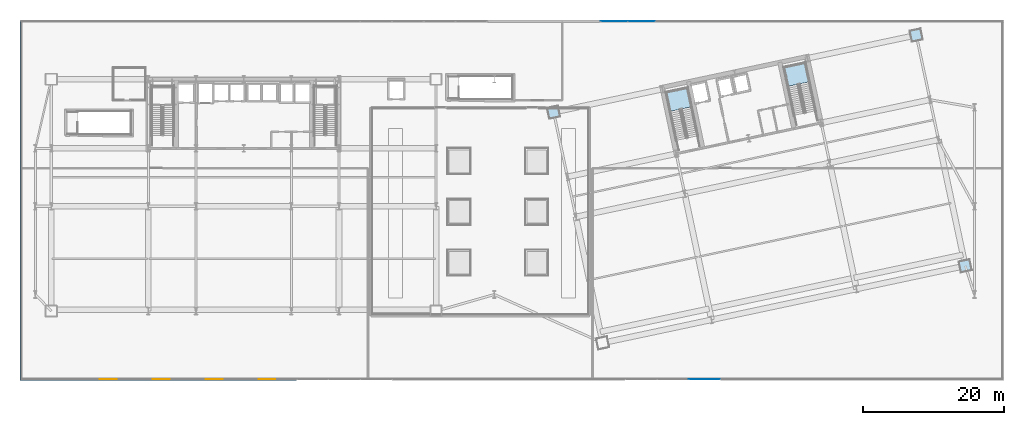
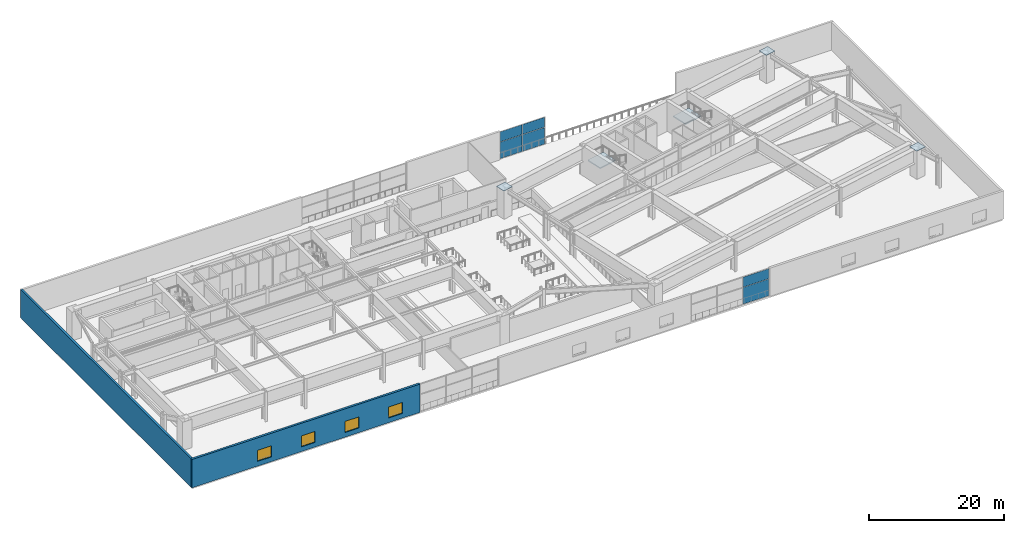
# One storey, part 15 of 29: 9 plates, 4 windows, 2 slabs, 2 walls, 4 openings, 4 elements without a shape of their own.
"""IFC4 building model written with IfcOpenShell, lengths in metres."""

from ifc_helpers import new_model, si_unit, direction, frame, frame_2d, origin, origin_2d, place, context, subcontext, project, spatial, polyline, rectangle, outline, extrude, material, layer, layer_set, type_object, element, fill, aggregate, save


model = new_model("IFC4")

# Units and contexts
model_context = context("Model", 3, precision=1e-05, world=origin(), true_north=direction((0.0, 1.0)))
body_context = subcontext(model_context, "Body", "Model", "MODEL_VIEW")
ifc_project = project(units=[si_unit("LENGTHUNIT", "METRE"), si_unit("AREAUNIT", "SQUARE_METRE"), si_unit("VOLUMEUNIT", "CUBIC_METRE"), si_unit("PLANEANGLEUNIT", "RADIAN"), si_unit("MASSUNIT", "GRAM", prefix="KILO")], contexts=[model_context])

# Site, building, storey
site_placement = place(None, origin())
site = spatial("IfcSite", under=ifc_project, at=site_placement, CompositionType="ELEMENT")
building_placement = place(site_placement, origin())
building = spatial("IfcBuilding", under=site, at=building_placement, Name="Haevon Station Towers", CompositionType="ELEMENT")
storey_placement = place(building_placement, frame((0.0, 0.0, 25.199951171875)))
storey = spatial("IfcBuildingStorey", under=building, at=storey_placement, Name="L05", CompositionType="ELEMENT", Elevation=25.199951171875)

# Curtain wall, plates
ifc_material_1 = material(Name="Anodised aluminium and Low-E double glazing", Category="aluminium")
ifc_layer_1 = layer(ifc_material_1, 0.179931640625)
ifc_layer_set_1 = layer_set([ifc_layer_1], Name="Anodised aluminium and Low-E double glazing")
curtain_wall_type = type_object("IfcCurtainWallType", Name="CW-SYS3", PredefinedType="NOTDEFINED", material=ifc_layer_set_1)
curtain_wall_1_placement = place(storey_placement, origin())
curtain_wall_1 = element("IfcCurtainWall", 1, at=curtain_wall_1_placement, inside=storey, type_object=curtain_wall_type, Name="L05 Curtain Wall CW-POD-L05-S1", PredefinedType="NOTDEFINED")
ifc_material_2 = material(Name="Low-E double glazing", Category="glass")
ifc_layer_2 = layer(ifc_material_2, 0.028076171875)
ifc_layer_set_2 = layer_set([ifc_layer_2], Name="Low-E double glazing")
plate_type_1 = type_object("IfcPlateType", Name="CWP-GLZ28", PredefinedType="CURTAIN_PANEL", material=ifc_layer_set_2)
plate_1_placement = place(storey_placement, frame((102.733642578125, 5.5, 0.06494140625), z_axis=(0.0, 0.0, 1.0), x_axis=(-1.0, 0.0, 0.0)))
plate_1 = element("IfcPlate", 2, at=plate_1_placement, type_object=plate_type_1, Name="CW-SYS3 panel 1.1", PredefinedType="CURTAIN_PANEL", context=body_context, shape_type="SweptSolid", body=[
    extrude(rectangle(XDim=4.402587890625, YDim=0.028076171875, at=origin_2d()), origin(), (0.0, 0.0, 1.0), 3.033447265625),
])
plate_2_placement = place(storey_placement, frame((102.733642578125, 5.5, 3.16357421875), z_axis=(0.0, 0.0, 1.0), x_axis=(-1.0, 0.0, 0.0)))
plate_2 = element("IfcPlate", 3, at=plate_2_placement, type_object=plate_type_1, Name="CW-SYS3 panel 1.2", PredefinedType="CURTAIN_PANEL", context=body_context, shape_type="SweptSolid", body=[
    extrude(rectangle(XDim=4.402587890625, YDim=0.028076171875, at=origin_2d()), origin(), (0.0, 0.0, 1.0), 1.821533203125),
])
aggregate(curtain_wall_1, [plate_1, plate_2])

curtain_wall_2_placement = place(storey_placement, origin())
curtain_wall_2 = element("IfcCurtainWall", 4, at=curtain_wall_2_placement, inside=storey, type_object=curtain_wall_type, Name="L05 Curtain Wall CW-POD-L05-N3", PredefinedType="NOTDEFINED")
plate_3_placement = place(storey_placement, frame((89.96630859375, 56.199951171875, 0.065185546875), z_axis=(0.0, 0.0, 1.0), x_axis=(1.0, 0.0, 0.0)))
plate_3 = element("IfcPlate", 5, at=plate_3_placement, type_object=plate_type_1, Name="CW-SYS3 panel 1.1", PredefinedType="CURTAIN_PANEL", context=body_context, shape_type="SweptSolid", body=[
    extrude(rectangle(XDim=3.802490234375, YDim=0.028076171875, at=origin_2d()), origin(), (0.0, 0.0, 1.0), 3.00244140625),
])
plate_4_placement = place(storey_placement, frame((89.96630859375, 56.199951171875, 3.13232421875), z_axis=(0.0, 0.0, 1.0), x_axis=(1.0, 0.0, 0.0)))
plate_4 = element("IfcPlate", 6, at=plate_4_placement, type_object=plate_type_1, Name="CW-SYS3 panel 1.2", PredefinedType="CURTAIN_PANEL", context=body_context, shape_type="SweptSolid", body=[
    extrude(rectangle(XDim=3.802490234375, YDim=0.028076171875, at=origin_2d()), origin(), (0.0, 0.0, 1.0), 1.802490234375),
])
plate_5_placement = place(storey_placement, frame((93.833740234375, 56.199951171875, 0.065185546875), z_axis=(0.0, 0.0, 1.0), x_axis=(1.0, 0.0, 0.0)))
plate_5 = element("IfcPlate", 7, at=plate_5_placement, type_object=plate_type_1, Name="CW-SYS3 panel 2.1", PredefinedType="CURTAIN_PANEL", context=body_context, shape_type="SweptSolid", body=[
    extrude(rectangle(XDim=3.802490234375, YDim=0.028076171875, at=origin_2d()), origin(), (0.0, 0.0, 1.0), 3.00244140625),
])
plate_6_placement = place(storey_placement, frame((93.833740234375, 56.199951171875, 3.13232421875), z_axis=(0.0, 0.0, 1.0), x_axis=(1.0, 0.0, 0.0)))
plate_6 = element("IfcPlate", 8, at=plate_6_placement, type_object=plate_type_1, Name="CW-SYS3 panel 2.2", PredefinedType="CURTAIN_PANEL", context=body_context, shape_type="SweptSolid", body=[
    extrude(rectangle(XDim=3.802490234375, YDim=0.028076171875, at=origin_2d()), origin(), (0.0, 0.0, 1.0), 1.802490234375),
])
aggregate(curtain_wall_2, [plate_3, plate_4, plate_5, plate_6])

# Plates
ifc_material_3 = material(Name="PL-FLG1", Category="steel")
ifc_layer_3 = layer(ifc_material_3, 0.044921875)
ifc_layer_set_3 = layer_set([ifc_layer_3], Name="PL-FLG1")
plate_type_2 = type_object("IfcPlateType", Name="PL-FLG1", PredefinedType="USERDEFINED", material=ifc_layer_set_3)
for number, where, z_axis, x_axis, name in (
    (9, (81.402587890625, 43.3134765625, 5.150146484375), (0.0, 0.0, 1.0), (0.978147600734, 0.207911690818, 0.0), "PL-CAP-T2-L05-01-04"),
    (10, (139.699462890625, 21.558837890625, 5.150146484375), (0.0, 0.0, 1.0), (0.978147600734, 0.207911690818, 0.0), "PL-CAP-T2-L05-05-01"),
    (11, (132.75537109375, 54.228759765625, 5.150146484375), (0.0, 0.0, 1.0), (0.978147600734, 0.207911690818, 0.0), "PL-CAP-T2-L05-05-04"),
):
    element("IfcPlate", number, at=place(storey_placement, frame(where, z_axis=z_axis, x_axis=x_axis)), inside=storey, type_object=plate_type_2, Name=name, ObjectType="FLANGE_PLATE", PredefinedType="USERDEFINED", context=body_context, shape_type="SweptSolid", body=[
        extrude(rectangle(XDim=1.739990234375, YDim=1.639892578125, at=origin_2d()), origin(), (0.0, 0.0, 1.0), 0.0400390625),
    ])

# Stair, slab
ifc_material_4 = material(Name="Concrete C40/50", Category="concrete")
stair_type = type_object("IfcStairType", Name="STR-DL1450", PredefinedType="USERDEFINED", material=ifc_material_4)
stair_1_placement = place(storey_placement, origin())
stair_1 = element("IfcStair", 12, at=stair_1_placement, inside=storey, type_object=stair_type, Name="L05 Escape Stair ST3", ObjectType="TWO_RETURN_STAIR", PredefinedType="USERDEFINED")
ifc_layer_4 = layer(ifc_material_4, 0.199951171875)
ifc_layer_set_4 = layer_set([ifc_layer_4], Name="Concrete C40/50")
slab_type = type_object("IfcSlabType", Name="SL-LND200", PredefinedType="LANDING", material=ifc_layer_set_4)
slab_1_placement = place(storey_placement, frame((0.0, 0.0, 2.5)))
slab_1 = element("IfcSlab", 13, at=slab_1_placement, type_object=slab_type, Name="L05 ST3 Half Landing 1", PredefinedType="LANDING", context=body_context, shape_type="SweptSolid", body=[
    extrude(outline(polyline([(100.938720703125, 44.086181640625), (100.36572265625, 46.781982421875), (97.33349609375, 46.137451171875), (97.906494140625, 43.441650390625), (100.938720703125, 44.086181640625)])), origin(), (0.0, 0.0, 1.0), 0.199951171875),
])
aggregate(stair_1, [slab_1])

stair_2_placement = place(storey_placement, origin())
stair_2 = element("IfcStair", 14, at=stair_2_placement, inside=storey, type_object=stair_type, Name="L05 Escape Stair ST4", ObjectType="TWO_RETURN_STAIR", PredefinedType="USERDEFINED")
slab_2_placement = place(storey_placement, frame((0.0, 0.0, 2.5)))
slab_2 = element("IfcSlab", 15, at=slab_2_placement, type_object=slab_type, Name="L05 ST4 Half Landing 1", PredefinedType="LANDING", context=body_context, shape_type="SweptSolid", body=[
    extrude(outline(polyline([(117.6259765625, 47.633056640625), (117.052978515625, 50.328857421875), (114.020751953125, 49.684326171875), (114.59375, 46.988525390625), (117.6259765625, 47.633056640625)])), origin(), (0.0, 0.0, 1.0), 0.199951171875),
])
aggregate(stair_2, [slab_2])

# Wall, openings, windows
ifc_material_5 = material(Name="Precast concrete C45/55", Category="concrete")
ifc_layer_5 = layer(ifc_material_5, 0.360107421875)
ifc_layer_set_5 = layer_set([ifc_layer_5], Name="Precast concrete C45/55")
wall_type = type_object("IfcWallType", Name="WL-EXT-POD360", PredefinedType="SOLIDWALL", material=ifc_layer_set_5)
wall_1_placement = place(storey_placement, frame((45.0, 5.5, 0.0), z_axis=(0.0, 0.0, 1.0), x_axis=(-1.0, 0.0, 0.0)))
wall_1 = element("IfcWall", 16, at=wall_1_placement, inside=storey, type_object=wall_type, Name="WL-POD-L05-S3", PredefinedType="SOLIDWALL", context=body_context, shape_type="SweptSolid", body=[
    extrude(rectangle(XDim=39.179931640625, YDim=0.360107421875, at=frame_2d((19.58984375, 0.0))), origin(), (0.0, 0.0, 1.0), 5.130126953125),
])
opening_1_placement = place(wall_1_placement, frame((3.0, 0.0, 0.85009765625)))
opening_1 = element("IfcOpeningElement", 17, at=opening_1_placement, cuts=wall_1, Name="Opening WN-P240", PredefinedType="OPENING", context=body_context, shape_type="SweptSolid", body=[
    extrude(rectangle(XDim=2.39990234375, YDim=2.0, at=frame_2d((1.199951171875, 1.0))), frame((0.0, 0.18994140625, 0.0), z_axis=(0.0, -1.0, 0.0), x_axis=(1.0, 0.0, 0.0)), (0.0, 0.0, 1.0), 0.380126953125),
])
opening_2_placement = place(wall_1_placement, frame((10.5, 0.0, 0.85009765625)))
opening_2 = element("IfcOpeningElement", 18, at=opening_2_placement, cuts=wall_1, Name="Opening WN-P240", PredefinedType="OPENING", context=body_context, shape_type="SweptSolid", body=[
    extrude(rectangle(XDim=2.39990234375, YDim=2.0, at=frame_2d((1.199951171875, 1.0))), frame((0.0, 0.18994140625, 0.0), z_axis=(0.0, -1.0, 0.0), x_axis=(1.0, 0.0, 0.0)), (0.0, 0.0, 1.0), 0.380126953125),
])
opening_3_placement = place(wall_1_placement, frame((18.0, 0.0, 0.85009765625)))
opening_3 = element("IfcOpeningElement", 19, at=opening_3_placement, cuts=wall_1, Name="Opening WN-P240", PredefinedType="OPENING", context=body_context, shape_type="SweptSolid", body=[
    extrude(rectangle(XDim=2.39990234375, YDim=2.0, at=frame_2d((1.199951171875, 1.0))), frame((0.0, 0.18994140625, 0.0), z_axis=(0.0, -1.0, 0.0), x_axis=(1.0, 0.0, 0.0)), (0.0, 0.0, 1.0), 0.380126953125),
])
opening_4_placement = place(wall_1_placement, frame((25.5, 0.0, 0.85009765625)))
opening_4 = element("IfcOpeningElement", 20, at=opening_4_placement, cuts=wall_1, Name="Opening WN-P240", PredefinedType="OPENING", context=body_context, shape_type="SweptSolid", body=[
    extrude(rectangle(XDim=2.39990234375, YDim=2.0, at=frame_2d((1.199951171875, 1.0))), frame((0.0, 0.18994140625, 0.0), z_axis=(0.0, -1.0, 0.0), x_axis=(1.0, 0.0, 0.0)), (0.0, 0.0, 1.0), 0.380126953125),
])
ifc_material_6 = material(Name="Low-E triple glazing in thermally broken aluminium", Category="aluminium")
window_type = type_object("IfcWindowType", Name="WN-P240", PartitioningType="SINGLE_PANEL", PredefinedType="WINDOW", material=ifc_material_6)
window_1_placement = place(opening_1_placement, origin())
window_1 = element("IfcWindow", 21, at=window_1_placement, inside=storey, type_object=window_type, Name="WN-POD-L05-S3-01", OverallHeight=2.0, OverallWidth=2.39990234375, PartitioningType="SINGLE_PANEL", PredefinedType="WINDOW", context=body_context, shape_type="SweptSolid", body=[
    extrude(rectangle(XDim=2.39990234375, YDim=2.0, at=frame_2d((1.199951171875, 1.0))), frame((0.0, 0.030029296875, 0.0), z_axis=(0.0, -1.0, 0.0), x_axis=(1.0, 0.0, 0.0)), (0.0, 0.0, 1.0), 0.06005859375),
])
fill(opening_1, window_1)
window_2_placement = place(opening_2_placement, origin())
window_2 = element("IfcWindow", 22, at=window_2_placement, inside=storey, type_object=window_type, Name="WN-POD-L05-S3-02", OverallHeight=2.0, OverallWidth=2.39990234375, PartitioningType="SINGLE_PANEL", PredefinedType="WINDOW", context=body_context, shape_type="SweptSolid", body=[
    extrude(rectangle(XDim=2.39990234375, YDim=2.0, at=frame_2d((1.199951171875, 1.0))), frame((0.0, 0.030029296875, 0.0), z_axis=(0.0, -1.0, 0.0), x_axis=(1.0, 0.0, 0.0)), (0.0, 0.0, 1.0), 0.06005859375),
])
fill(opening_2, window_2)
window_3_placement = place(opening_3_placement, origin())
window_3 = element("IfcWindow", 23, at=window_3_placement, inside=storey, type_object=window_type, Name="WN-POD-L05-S3-03", OverallHeight=2.0, OverallWidth=2.39990234375, PartitioningType="SINGLE_PANEL", PredefinedType="WINDOW", context=body_context, shape_type="SweptSolid", body=[
    extrude(rectangle(XDim=2.39990234375, YDim=2.0, at=frame_2d((1.199951171875, 1.0))), frame((0.0, 0.030029296875, 0.0), z_axis=(0.0, -1.0, 0.0), x_axis=(1.0, 0.0, 0.0)), (0.0, 0.0, 1.0), 0.06005859375),
])
fill(opening_3, window_3)
window_4_placement = place(opening_4_placement, origin())
window_4 = element("IfcWindow", 24, at=window_4_placement, inside=storey, type_object=window_type, Name="WN-POD-L05-S3-04", OverallHeight=2.0, OverallWidth=2.39990234375, PartitioningType="SINGLE_PANEL", PredefinedType="WINDOW", context=body_context, shape_type="SweptSolid", body=[
    extrude(rectangle(XDim=2.39990234375, YDim=2.0, at=frame_2d((1.199951171875, 1.0))), frame((0.0, 0.030029296875, 0.0), z_axis=(0.0, -1.0, 0.0), x_axis=(1.0, 0.0, 0.0)), (0.0, 0.0, 1.0), 0.06005859375),
])
fill(opening_4, window_4)

# Wall
wall_2_placement = place(storey_placement, frame((6.0, 5.5, 0.0), z_axis=(0.0, 0.0, 1.0), x_axis=(0.0, 1.0, 0.0)))
element("IfcWall", 25, at=wall_2_placement, inside=storey, type_object=wall_type, Name="WL-POD-L05-W", PredefinedType="SOLIDWALL", context=body_context, shape_type="SweptSolid", body=[
    extrude(rectangle(XDim=50.699951171875, YDim=0.360107421875, at=frame_2d((25.35009765625, 0.0))), origin(), (0.0, 0.0, 1.0), 5.130126953125),
])

save(model, "model.ifc")
